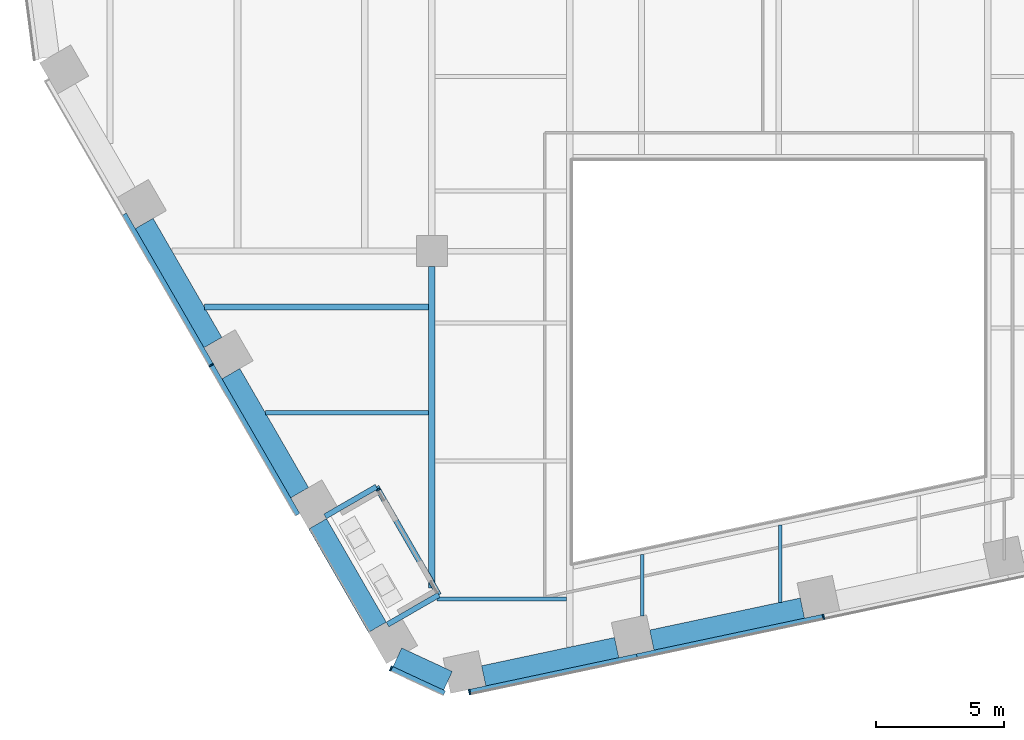
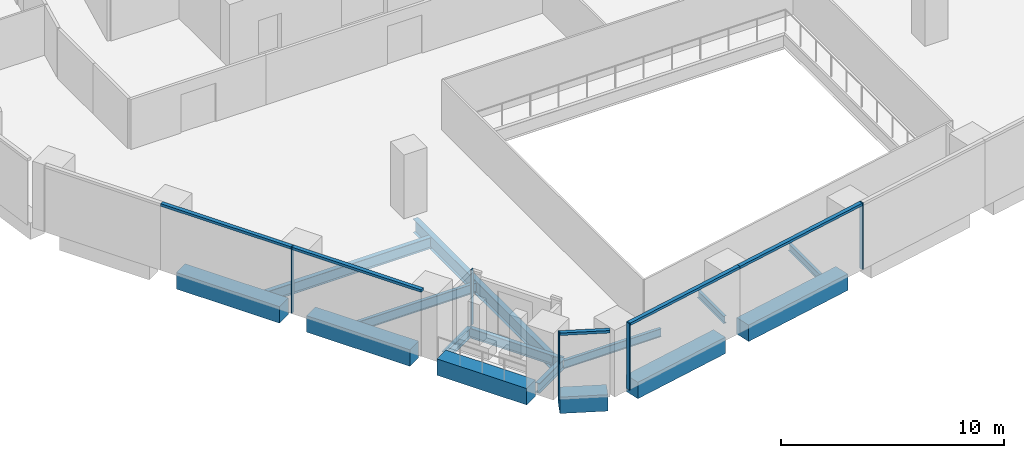
# One storey, part 2 of 26: 15 beams, 10 members, 4 elements without a shape of their own.
"""IFC4 building model written with IfcOpenShell, lengths in metres."""

from ifc_helpers import new_model, si_unit, direction, frame, origin, origin_2d, place, context, subcontext, project, spatial, rectangle, i_section, extrude, material, layer, layer_set, material_profile, profile_set, type_object, element, aggregate, save


model = new_model("IFC4")

# Units and contexts
model_context = context("Model", 3, precision=1e-05, world=origin(), true_north=direction((0.0, 1.0)))
body_context = subcontext(model_context, "Body", "Model", "MODEL_VIEW")
ifc_project = project(units=[si_unit("LENGTHUNIT", "METRE"), si_unit("AREAUNIT", "SQUARE_METRE"), si_unit("VOLUMEUNIT", "CUBIC_METRE"), si_unit("PLANEANGLEUNIT", "RADIAN"), si_unit("MASSUNIT", "GRAM", prefix="KILO")], contexts=[model_context])

# Site, building, storey
site_placement = place(None, origin())
site = spatial("IfcSite", under=ifc_project, at=site_placement, CompositionType="ELEMENT")
building_placement = place(site_placement, origin())
building = spatial("IfcBuilding", under=site, at=building_placement, Name="Isthmus Gate Tower", CompositionType="ELEMENT")
storey_placement = place(building_placement, frame((0.0, 0.0, 144.39990234375)))
storey = spatial("IfcBuildingStorey", under=building, at=storey_placement, Name="L35", CompositionType="ELEMENT", Elevation=144.39990234375)

# Curtain wall, member
ifc_material_1 = material(Name="Aluminium, pale champagne anodised", Category="aluminium")
ifc_layer_1 = layer(ifc_material_1, 0.199951171875)
ifc_layer_set_1 = layer_set([ifc_layer_1], Name="CW-1 UNITISED CURTAIN WALL 200 DEEP")
curtain_wall_type_1 = type_object("IfcCurtainWallType", Name="CW-1 UNITISED CURTAIN WALL 200 DEEP", PredefinedType="NOTDEFINED", material=ifc_layer_set_1)
curtain_wall_1_placement = place(storey_placement, origin())
curtain_wall_1 = element("IfcCurtainWall", 1, at=curtain_wall_1_placement, inside=storey, type_object=curtain_wall_type_1, Name="CW-1 SW L35", PredefinedType="NOTDEFINED")
ifc_material_2 = material(Name="Aluminium, pale champagne anodised", Category="aluminium")
ifc_material_profile_1 = material_profile(ifc_material_2, rectangle(XDim=0.06005859375, YDim=0.199951171875, at=origin_2d()), Name="60x200")
ifc_profile_set_1 = profile_set([ifc_material_profile_1], Name="Aluminium, pale champagne anodised")
member_type_1 = type_object("IfcMemberType", Name="CW-1 MULLION 60 X 200", PredefinedType="MULLION", material=ifc_profile_set_1)
member_1_placement = place(storey_placement, frame((-22.08935546875, -17.93994140625, 0.0), z_axis=(0.0, 0.0, 1.0), x_axis=(0.5, -0.866025403784, 0.0)))
member_1 = element("IfcMember", 2, at=member_1_placement, type_object=member_type_1, Name="CW-1 mullion", PredefinedType="MULLION", context=body_context, shape_type="SweptSolid", body=[
    extrude(rectangle(XDim=0.06005859375, YDim=0.199951171875, at=origin_2d()), origin(), (0.0, 0.0, 1.0), 3.650146484375),
])

curtain_wall_2_placement = place(storey_placement, origin())
curtain_wall_2 = element("IfcCurtainWall", 3, at=curtain_wall_2_placement, inside=storey, type_object=curtain_wall_type_1, Name="CW-1 SW-S L35", PredefinedType="NOTDEFINED")
member_2_placement = place(storey_placement, frame((-15.091064453125, -29.74755859375, 0.0), z_axis=(0.0, 0.0, 1.0), x_axis=(0.907256261367, -0.420578264073, 0.0)))
member_2 = element("IfcMember", 4, at=member_2_placement, type_object=member_type_1, Name="CW-1 mullion", PredefinedType="MULLION", context=body_context, shape_type="SweptSolid", body=[
    extrude(rectangle(XDim=0.06005859375, YDim=0.199951171875, at=origin_2d()), origin(), (0.0, 0.0, 1.0), 3.650146484375),
])

# Curtain wall, members
curtain_wall_3_placement = place(storey_placement, origin())
curtain_wall_3 = element("IfcCurtainWall", 5, at=curtain_wall_3_placement, inside=storey, type_object=curtain_wall_type_1, Name="CW-1 S L35", PredefinedType="NOTDEFINED")
member_3_placement = place(storey_placement, frame((-12.03369140625, -30.66015625, 0.0), z_axis=(0.0, 0.0, 1.0), x_axis=(0.978147600734, 0.207911690818, 0.0)))
member_3 = element("IfcMember", 6, at=member_3_placement, type_object=member_type_1, Name="CW-1 mullion", PredefinedType="MULLION", context=body_context, shape_type="SweptSolid", body=[
    extrude(rectangle(XDim=0.06005859375, YDim=0.199951171875, at=origin_2d()), origin(), (0.0, 0.0, 1.0), 3.650146484375),
])
member_4_placement = place(storey_placement, frame((1.740234375, -27.732421875, 0.0), z_axis=(0.0, 0.0, 1.0), x_axis=(0.978147600734, 0.207911690818, 0.0)))
member_4 = element("IfcMember", 7, at=member_4_placement, type_object=member_type_1, Name="CW-1 mullion", PredefinedType="MULLION", context=body_context, shape_type="SweptSolid", body=[
    extrude(rectangle(XDim=0.06005859375, YDim=0.199951171875, at=origin_2d()), origin(), (0.0, 0.0, 1.0), 3.650146484375),
])

# Member
ifc_material_3 = material(Name="Aluminium, pale champagne anodised", Category="aluminium")
ifc_material_profile_2 = material_profile(ifc_material_3, rectangle(XDim=0.199951171875, YDim=0.139892578125, at=origin_2d()), Name="200x140")
ifc_profile_set_2 = profile_set([ifc_material_profile_2], Name="Aluminium, pale champagne anodised")
member_type_2 = type_object("IfcMemberType", Name="CW-1 TRANSOM 200 X 140", PredefinedType="USERDEFINED", material=ifc_profile_set_2)
member_5_placement = place(storey_placement, frame((-25.4794921875, -12.068115234375, 3.580078125), z_axis=(0.49998230858, -0.86603561769, 0.0), x_axis=(0.86603561769, 0.49998230858, 0.0)))
member_5 = element("IfcMember", 8, at=member_5_placement, type_object=member_type_2, Name="CW-1 transom", ObjectType="TRANSOM", PredefinedType="USERDEFINED", context=body_context, shape_type="SweptSolid", body=[
    extrude(rectangle(XDim=0.199951171875, YDim=0.139892578125, at=origin_2d()), origin(), (0.0, 0.0, 1.0), 6.750244140625),
])

member_6_placement = place(storey_placement, frame((-22.074462890625, -17.9658203125, 3.580078125), z_axis=(0.499981482168, -0.866036094796, 0.0), x_axis=(0.866036094796, 0.499981482168, 0.0)))
member_6 = element("IfcMember", 9, at=member_6_placement, type_object=member_type_2, Name="CW-1 transom", ObjectType="TRANSOM", PredefinedType="USERDEFINED", context=body_context, shape_type="SweptSolid", body=[
    extrude(rectangle(XDim=0.199951171875, YDim=0.139892578125, at=origin_2d()), origin(), (0.0, 0.0, 1.0), 6.690185546875),
])

aggregate(curtain_wall_1, [member_5, member_1, member_6])

member_7_placement = place(storey_placement, frame((-15.06396484375, -29.76025390625, 3.580078125), z_axis=(0.907246225564, -0.420599912268, 0.0), x_axis=(0.420599912268, 0.907246225564, 0.0)))
member_7 = element("IfcMember", 10, at=member_7_placement, type_object=member_type_2, Name="CW-1 transom", ObjectType="TRANSOM", PredefinedType="USERDEFINED", context=body_context, shape_type="SweptSolid", body=[
    extrude(rectangle(XDim=0.199951171875, YDim=0.139892578125, at=origin_2d()), origin(), (0.0, 0.0, 1.0), 2.258544921875),
])

aggregate(curtain_wall_2, [member_2, member_7])

member_8_placement = place(storey_placement, frame((-12.00439453125, -30.65380859375, 3.580078125), z_axis=(0.97814593552, 0.207919524877, 0.0), x_axis=(-0.207919524877, 0.97814593552, 0.0)))
member_8 = element("IfcMember", 11, at=member_8_placement, type_object=member_type_2, Name="CW-1 transom", ObjectType="TRANSOM", PredefinedType="USERDEFINED", context=body_context, shape_type="SweptSolid", body=[
    extrude(rectangle(XDim=0.199951171875, YDim=0.139892578125, at=origin_2d()), origin(), (0.0, 0.0, 1.0), 6.630859375),
])

member_9_placement = place(storey_placement, frame((-5.5185546875, -29.275146484375, 3.580078125), z_axis=(0.978147683684, 0.207911300568, 0.0), x_axis=(-0.207911300568, 0.978147683684, 0.0)))
member_9 = element("IfcMember", 12, at=member_9_placement, type_object=member_type_2, Name="CW-1 transom", ObjectType="TRANSOM", PredefinedType="USERDEFINED", context=body_context, shape_type="SweptSolid", body=[
    extrude(rectangle(XDim=0.199951171875, YDim=0.139892578125, at=origin_2d()), origin(), (0.0, 0.0, 1.0), 7.390869140625),
])

aggregate(curtain_wall_3, [member_3, member_8, member_9, member_4])

# Curtain wall, member
ifc_material_4 = material(Name="Aluminium, pale champagne anodised", Category="aluminium")
ifc_layer_2 = layer(ifc_material_4, 0.14990234375)
ifc_layer_set_2 = layer_set([ifc_layer_2], Name="CW-6 LOGGIA BACK WALL GLAZING 150 DEEP")
curtain_wall_type_2 = type_object("IfcCurtainWallType", Name="CW-6 LOGGIA BACK WALL GLAZING 150 DEEP", PredefinedType="NOTDEFINED", material=ifc_layer_set_2)
curtain_wall_4_placement = place(storey_placement, origin())
curtain_wall_4 = element("IfcCurtainWall", 13, at=curtain_wall_4_placement, inside=storey, type_object=curtain_wall_type_2, Name="CW-6 SW L35", PredefinedType="NOTDEFINED")
ifc_material_5 = material(Name="Aluminium, pale champagne anodised", Category="aluminium")
ifc_material_profile_3 = material_profile(ifc_material_5, rectangle(XDim=0.06005859375, YDim=0.14990234375, at=origin_2d()), Name="60x150")
ifc_profile_set_3 = profile_set([ifc_material_profile_3], Name="Aluminium, pale champagne anodised")
member_type_3 = type_object("IfcMemberType", Name="CW-6 MULLION 60 X 150", PredefinedType="MULLION", material=ifc_profile_set_3)
member_10_placement = place(storey_placement, frame((-15.593017578125, -22.7919921875, 0.0), z_axis=(0.0, 0.0, 1.0), x_axis=(0.5, -0.866025403784, 0.0)))
member_10 = element("IfcMember", 14, at=member_10_placement, type_object=member_type_3, Name="CW-6 mullion", PredefinedType="MULLION", context=body_context, shape_type="SweptSolid", body=[
    extrude(rectangle(XDim=0.06005859375, YDim=0.14990234375, at=origin_2d()), origin(), (0.0, 0.0, 1.0), 3.050048828125),
])
aggregate(curtain_wall_4, [member_10])

# Beams
ifc_material_6 = material(Name="Concrete f'c 60 MPa", Category="concrete")
ifc_material_profile_4 = material_profile(ifc_material_6, rectangle(XDim=0.800048828125, YDim=0.89990234375, at=origin_2d()), Name="RC 800X900")
ifc_profile_set_4 = profile_set([ifc_material_profile_4], Name="Concrete f'c 60 MPa")
beam_type_1 = type_object("IfcBeamType", Name="RC SPANDREL 800 X 900", PredefinedType="SPANDREL", material=ifc_profile_set_4)
beam_1_placement = place(storey_placement, frame((0.922119140625, -27.39501953125, -0.449951171875), z_axis=(-0.978145798872, -0.20792016773, 0.0), x_axis=(0.20792016773, -0.978145798872, 0.0)))
element("IfcBeam", 15, at=beam_1_placement, inside=storey, type_object=beam_type_1, Name="str-spandrel-L35-13", PredefinedType="SPANDREL", context=body_context, shape_type="SweptSolid", body=[
    extrude(rectangle(XDim=0.800048828125, YDim=0.89990234375, at=origin_2d()), origin(), (0.0, 0.0, 1.0), 5.99072265625),
])
beam_2_placement = place(storey_placement, frame((-6.30712890625, -28.931640625, -0.449951171875), z_axis=(-0.978145479826, -0.207921668653, 0.0), x_axis=(0.207921668653, -0.978145479826, 0.0)))
element("IfcBeam", 16, at=beam_2_placement, inside=storey, type_object=beam_type_1, Name="str-spandrel-L35-14", PredefinedType="SPANDREL", context=body_context, shape_type="SweptSolid", body=[
    extrude(rectangle(XDim=0.800048828125, YDim=0.89990234375, at=origin_2d()), origin(), (0.0, 0.0, 1.0), 5.291015625),
])
beam_3_placement = place(storey_placement, frame((-12.87255859375, -30.224853515625, -0.449951171875), z_axis=(-0.907290744498, 0.420503870314, 0.0), x_axis=(-0.420503870314, -0.907290744498, 0.0)))
element("IfcBeam", 17, at=beam_3_placement, inside=storey, type_object=beam_type_1, Name="str-spandrel-L35-15", PredefinedType="SPANDREL", context=body_context, shape_type="SweptSolid", body=[
    extrude(rectangle(XDim=0.800048828125, YDim=0.89990234375, at=origin_2d()), origin(), (0.0, 0.0, 1.0), 2.173095703125),
])
beam_4_placement = place(storey_placement, frame((-15.621337890625, -28.14306640625, -0.449951171875), z_axis=(-0.499984536904, 0.866034331223, 0.0), x_axis=(-0.866034331223, -0.499984536904, 0.0)))
element("IfcBeam", 18, at=beam_4_placement, inside=storey, type_object=beam_type_1, Name="str-spandrel-L35-16", PredefinedType="SPANDREL", context=body_context, shape_type="SweptSolid", body=[
    extrude(rectangle(XDim=0.800048828125, YDim=0.89990234375, at=origin_2d()), origin(), (0.0, 0.0, 1.0), 4.650146484375),
])
for number, where, z_axis, x_axis, name in (
    (19, (-18.646484375, -22.903564453125, -0.449951171875), (-0.500001594578, 0.866024483152, 0.0), (-0.866024483152, -0.500001594578, 0.0), "str-spandrel-L35-17"),
    (20, (-22.021484375, -17.0576171875, -0.449951171875), (-0.500001594578, 0.866024483152, 0.0), (-0.866024483152, -0.500001594578, 0.0), "str-spandrel-L35-18"),
):
    element("IfcBeam", number, at=place(storey_placement, frame(where, z_axis=z_axis, x_axis=x_axis)), inside=storey, type_object=beam_type_1, Name=name, PredefinedType="SPANDREL", context=body_context, shape_type="SweptSolid", body=[
        extrude(rectangle(XDim=0.800048828125, YDim=0.89990234375, at=origin_2d()), origin(), (0.0, 0.0, 1.0), 5.35009765625),
    ])
ifc_material_7 = material(Name="Structural steel ASTM A992 Gr 50", Category="steel")
ifc_material_profile_5 = material_profile(ifc_material_7, i_section(OverallWidth=0.1396484375, OverallDepth=0.4033203125, WebThickness=0.00634765625, FlangeThickness=0.010986328125, at=origin_2d()), Name="W16X31")
ifc_profile_set_5 = profile_set([ifc_material_profile_5], Name="Structural steel ASTM A992 Gr 50")
beam_type_2 = type_object("IfcBeamType", Name="STEEL FLOOR BEAM W16X31", PredefinedType="JOIST", material=ifc_profile_set_5)
beam_5_placement = place(storey_placement, frame((-5.311279296875, -27.69775390625, -0.3515625), z_axis=(0.0, 1.0, 0.0), x_axis=(-1.0, 0.0, 0.0)))
element("IfcBeam", 21, at=beam_5_placement, inside=storey, type_object=beam_type_2, Name="str-beam-L35-10-00", PredefinedType="JOIST", context=body_context, shape_type="SweptSolid", body=[
    extrude(i_section(OverallWidth=0.1396484375, OverallDepth=0.4033203125, WebThickness=0.00634765625, FlangeThickness=0.010986328125, at=origin_2d()), origin(), (0.0, 0.0, 1.0), 2.385498046875),
])
beam_6_placement = place(storey_placement, frame((0.06591796875, -27.168212890625, -0.3515625), z_axis=(0.0, 1.0, 0.0), x_axis=(-1.0, 0.0, 0.0)))
element("IfcBeam", 22, at=beam_6_placement, inside=storey, type_object=beam_type_2, Name="str-beam-L35-10-01", PredefinedType="JOIST", context=body_context, shape_type="SweptSolid", body=[
    extrude(i_section(OverallWidth=0.1396484375, OverallDepth=0.4033203125, WebThickness=0.00634765625, FlangeThickness=0.010986328125, at=origin_2d()), origin(), (0.0, 0.0, 1.0), 2.9990234375),
])
ifc_material_8 = material(Name="Structural steel ASTM A992 Gr 50", Category="steel")
ifc_material_profile_6 = material_profile(ifc_material_8, i_section(OverallWidth=0.15234375, OverallDepth=0.45068359375, WebThickness=0.0078125, FlangeThickness=0.010986328125, at=origin_2d()), Name="W18X35")
ifc_profile_set_6 = profile_set([ifc_material_profile_6], Name="Structural steel ASTM A992 Gr 50")
beam_type_3 = type_object("IfcBeamType", Name="STEEL FLOOR BEAM W18X35", PredefinedType="JOIST", material=ifc_profile_set_6)
beam_7_placement = place(storey_placement, frame((-13.304443359375, -27.04736328125, -0.375244140625), z_axis=(1.0, 0.0, 0.0), x_axis=(0.0, 1.0, 0.0)))
element("IfcBeam", 23, at=beam_7_placement, inside=storey, type_object=beam_type_3, Name="str-beam-L35-06-00", PredefinedType="JOIST", context=body_context, shape_type="SweptSolid", body=[
    extrude(i_section(OverallWidth=0.15234375, OverallDepth=0.45068359375, WebThickness=0.0078125, FlangeThickness=0.010986328125, at=origin_2d()), origin(), (0.0, 0.0, 1.0), 5.037841796875),
])
ifc_material_9 = material(Name="Structural steel ASTM A992 Gr 50", Category="steel")
ifc_material_profile_7 = material_profile(ifc_material_9, i_section(OverallWidth=0.1650390625, OverallDepth=0.52392578125, WebThickness=0.009521484375, FlangeThickness=0.010986328125, at=origin_2d()), Name="W21X44")
ifc_profile_set_7 = profile_set([ifc_material_profile_7], Name="Structural steel ASTM A992 Gr 50")
beam_type_4 = type_object("IfcBeamType", Name="STEEL FLOOR BEAM W21X44", PredefinedType="JOIST", material=ifc_profile_set_7)
beam_8_placement = place(storey_placement, frame((-19.980712890625, -19.792236328125, -0.411865234375), z_axis=(1.0, 0.0, 0.0), x_axis=(0.0, 1.0, 0.0)))
element("IfcBeam", 24, at=beam_8_placement, inside=storey, type_object=beam_type_4, Name="str-beam-L35-03-00", PredefinedType="JOIST", context=body_context, shape_type="SweptSolid", body=[
    extrude(i_section(OverallWidth=0.1650390625, OverallDepth=0.52392578125, WebThickness=0.009521484375, FlangeThickness=0.010986328125, at=origin_2d()), origin(), (0.0, 0.0, 1.0), 6.348876953125),
])
ifc_material_10 = material(Name="Structural steel ASTM A992 Gr 50", Category="steel")
ifc_material_profile_8 = material_profile(ifc_material_10, i_section(OverallWidth=0.228515625, OverallDepth=0.603271484375, WebThickness=0.010986328125, FlangeThickness=0.014404296875, at=origin_2d()), Name="W24X68")
ifc_profile_set_8 = profile_set([ifc_material_profile_8], Name="Structural steel ASTM A992 Gr 50")
beam_type_5 = type_object("IfcBeamType", Name="STEEL FLOOR BEAM W24X68", PredefinedType="JOIST", material=ifc_profile_set_8)
beam_9_placement = place(storey_placement, frame((-22.358642578125, -15.673583984375, -0.451416015625), z_axis=(1.0, 0.0, 0.0), x_axis=(0.0, 1.0, 0.0)))
element("IfcBeam", 25, at=beam_9_placement, inside=storey, type_object=beam_type_5, Name="str-beam-L35-03-01", PredefinedType="JOIST", context=body_context, shape_type="SweptSolid", body=[
    extrude(i_section(OverallWidth=0.228515625, OverallDepth=0.603271484375, WebThickness=0.010986328125, FlangeThickness=0.014404296875, at=origin_2d()), origin(), (0.0, 0.0, 1.0), 8.726806640625),
])
ifc_material_11 = material(Name="Structural steel ASTM A992 Gr 50", Category="steel")
ifc_material_profile_9 = material_profile(ifc_material_11, i_section(OverallWidth=0.263427734375, OverallDepth=0.749267578125, WebThickness=0.0126953125, FlangeThickness=0.015869140625, at=origin_2d()), Name="W30X90")
ifc_profile_set_9 = profile_set([ifc_material_profile_9], Name="Structural steel ASTM A992 Gr 50")
beam_type_6 = type_object("IfcBeamType", Name="STEEL GIRDER W30X90", PredefinedType="BEAM", material=ifc_profile_set_9)
beam_10_placement = place(storey_placement, frame((-13.5, -26.617431640625, -0.524658203125), z_axis=(0.0, 1.0, 0.0), x_axis=(-1.0, 0.0, 0.0)))
element("IfcBeam", 26, at=beam_10_placement, inside=storey, type_object=beam_type_6, Name="str-girder-L35-07", PredefinedType="BEAM", context=body_context, shape_type="SweptSolid", body=[
    extrude(i_section(OverallWidth=0.263427734375, OverallDepth=0.749267578125, WebThickness=0.0126953125, FlangeThickness=0.015869140625, at=origin_2d()), origin(), (0.0, 0.0, 1.0), 12.517333984375),
])
ifc_material_12 = material(Name="Structural steel ASTM A992 Gr 50", Category="steel")
ifc_material_profile_10 = material_profile(ifc_material_12, i_section(OverallWidth=0.20947265625, OverallDepth=0.533447265625, WebThickness=0.009521484375, FlangeThickness=0.015869140625, at=origin_2d()), Name="W21X62")
ifc_profile_set_10 = profile_set([ifc_material_profile_10], Name="Structural steel ASTM A992 Gr 50")
beam_type_7 = type_object("IfcBeamType", Name="STEEL TRIMMER W21X62", PredefinedType="BEAM", material=ifc_profile_set_10)
beam_11_placement = place(storey_placement, frame((-15.656494140625, -22.6728515625, -0.41650390625), z_axis=(0.500023965831, -0.866011566663, 0.0), x_axis=(0.866011566663, 0.500023965831, 0.0)))
element("IfcBeam", 27, at=beam_11_placement, inside=storey, type_object=beam_type_7, Name="str-loggiatrim-L35-03-B", PredefinedType="BEAM", context=body_context, shape_type="SweptSolid", body=[
    extrude(i_section(OverallWidth=0.20947265625, OverallDepth=0.533447265625, WebThickness=0.009521484375, FlangeThickness=0.015869140625, at=origin_2d()), origin(), (0.0, 0.0, 1.0), 4.859619140625),
])
for number, where, z_axis, x_axis, name in (
    (28, (-17.65234375, -23.8251953125, -0.41650390625), (0.866017993231, 0.500012835235, 0.0), (-0.500012835235, 0.866017993231, 0.0), "str-loggiatrim-L35-03-A"),
    (29, (-15.222412109375, -28.03369140625, -0.41650390625), (0.866017993231, 0.500012835235, 0.0), (-0.500012835235, 0.866017993231, 0.0), "str-loggiatrim-L35-03-C"),
):
    element("IfcBeam", number, at=place(storey_placement, frame(where, z_axis=z_axis, x_axis=x_axis)), inside=storey, type_object=beam_type_7, Name=name, PredefinedType="BEAM", context=body_context, shape_type="SweptSolid", body=[
        extrude(i_section(OverallWidth=0.20947265625, OverallDepth=0.533447265625, WebThickness=0.009521484375, FlangeThickness=0.015869140625, at=origin_2d()), origin(), (0.0, 0.0, 1.0), 2.3046875),
    ])

save(model, "model.ifc")
